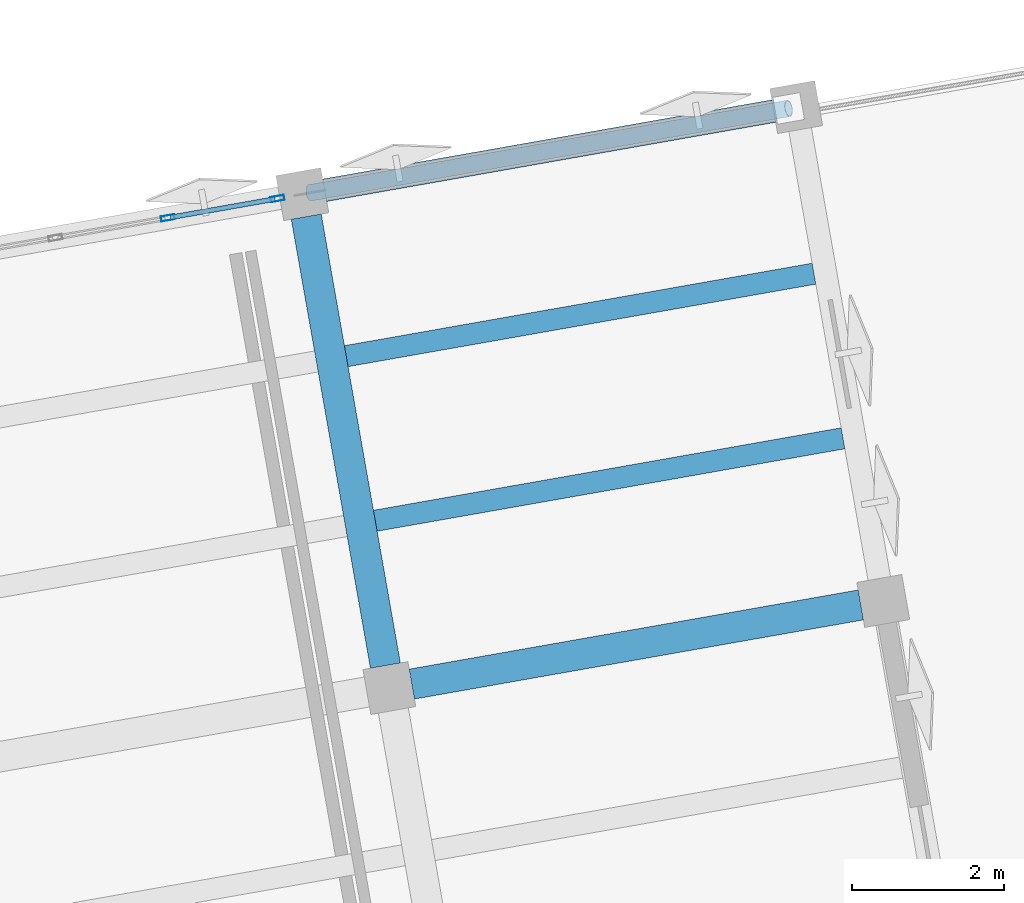
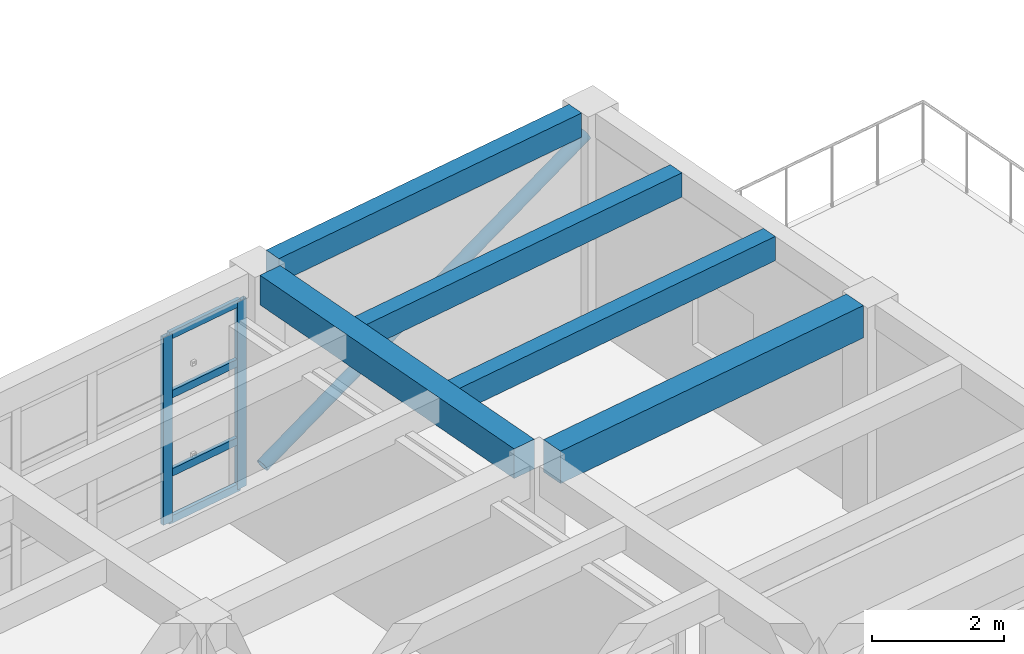
# One storey, part 8 of 18: 7 members, 5 beams, 1 element without a shape of its own.
"""IFC4 building model written with IfcOpenShell, lengths in metres."""

import ifcopenshell
import ifcopenshell.guid

model = None  # the IFC model being written
_history = None  # IfcOwnerHistory: only IFC2X3 demands one
_inside = {}  # id of a spatial element -> (the spatial element, [elements in it])
_under = {}  # id of a project, library or spatial element -> (it, [spatial elements below it])
_declared = {}  # id of a project -> (the project, [libraries it declares])
_typed = {}  # id of a type object -> (the type object, [elements of that type])
_made_of = {}  # id of a material, layer set ... -> (it, [elements and type objects made of it])


def new_model(schema):
    """Start an empty IFC model of exactly this schema.

    Asked for "IFC4X3", IfcOpenShell would pick the latest addendum, in which some entities
    have other attributes; the version numbers below select the first issue.
    IFC2X3 requires an IfcOwnerHistory on every rooted entity: one is made here for all.
    """
    global model, _history
    if schema == "IFC4X3":
        model = ifcopenshell.file(schema_version=(4, 3, 0, 0))
    else:
        model = ifcopenshell.file(schema=schema)
    _inside.clear()
    _under.clear()
    _declared.clear()
    _typed.clear()
    _made_of.clear()
    _history = None
    if model.schema == "IFC2X3":
        org = make("IfcOrganization", Name="unknown")
        user = make(
            "IfcPersonAndOrganization",
            ThePerson=make("IfcPerson", FamilyName="unknown"),
            TheOrganization=org,
        )
        app = make(
            "IfcApplication",
            ApplicationDeveloper=org,
            Version="unknown",
            ApplicationFullName="unknown",
            ApplicationIdentifier="unknown",
        )
        _history = make(
            "IfcOwnerHistory",
            OwningUser=user,
            OwningApplication=app,
            ChangeAction="ADDED",
            CreationDate=0,
        )
    return model


def make(cls, **values):
    """One entity of the class cls with the attributes given. An attribute that is None is left unset."""
    return model.create_entity(
        cls, **{name: value for name, value in values.items() if value is not None}
    )


def rooted(cls, **values):
    """An entity with a GlobalId (a new one), such as an element, a storey or a relation."""
    return make(cls, GlobalId=ifcopenshell.guid.new(), OwnerHistory=_history, **values)


def si_unit(unit_type, name, prefix=None):
    """IfcSIUnit, for example si_unit("LENGTHUNIT", "METRE", prefix="MILLI")."""
    return make("IfcSIUnit", UnitType=unit_type, Prefix=prefix, Name=name)


def assignment(units):
    """IfcUnitAssignment: the units of a project."""
    return None if units is None else make("IfcUnitAssignment", Units=units)


def point(xyz):
    """IfcCartesianPoint."""
    return None if xyz is None else make("IfcCartesianPoint", Coordinates=xyz)


def direction(xyz):
    """IfcDirection."""
    return None if xyz is None else make("IfcDirection", DirectionRatios=xyz)


def frame(location, z_axis=None, x_axis=None):
    """IfcAxis2Placement3D, a coordinate frame: its origin and axes. An axis left out is left unset."""
    return make(
        "IfcAxis2Placement3D",
        Location=point(location),
        Axis=direction(z_axis),
        RefDirection=direction(x_axis),
    )


def frame_2d(location, x_axis=None):
    """IfcAxis2Placement2D, a coordinate frame in the plane: its origin and x axis."""
    return make(
        "IfcAxis2Placement2D", Location=point(location), RefDirection=direction(x_axis)
    )


def origin():
    """The frame at (0, 0, 0) with its axes left unset."""
    return frame((0.0, 0.0, 0.0))


def origin_2d():
    """The frame at (0, 0) in the plane with its x axis left unset."""
    return frame_2d((0.0, 0.0))


def place(relative_to, where):
    """IfcLocalPlacement: puts the frame where relative to a parent placement (None: the world)."""
    return make(
        "IfcLocalPlacement", PlacementRelTo=relative_to, RelativePlacement=where
    )


def context(
    kind, dimensions, precision=None, world=None, true_north=None, identifier=None
):
    """IfcGeometricRepresentationContext, for example the 3D "Model" context."""
    return make(
        "IfcGeometricRepresentationContext",
        ContextIdentifier=identifier,
        ContextType=kind,
        CoordinateSpaceDimension=dimensions,
        Precision=precision,
        WorldCoordinateSystem=world,
        TrueNorth=true_north,
    )


def subcontext(parent, identifier, kind, view, scale=None):
    """IfcGeometricRepresentationSubContext, for example "Body" below "Model"."""
    return make(
        "IfcGeometricRepresentationSubContext",
        ContextIdentifier=identifier,
        ContextType=kind,
        ParentContext=parent,
        TargetScale=scale,
        TargetView=view,
    )


def project(units=None, contexts=None):
    """IfcProject with its units and contexts."""
    return rooted(
        "IfcProject",
        Name="project",
        RepresentationContexts=contexts,
        UnitsInContext=assignment(units),
    )


def spatial(cls, under=None, at=None, **own):
    """A site, building, storey or space (cls), placed at a placement, below another one or the project."""
    s = rooted(cls, ObjectPlacement=at, **own)
    if under is not None:
        _under.setdefault(under.id(), (under, []))[1].append(s)
    return s


def profile(cls, at=None, kind="AREA", **sizes):
    """A parametric profile (cls). Its sizes go by their IFC names, for example OverallWidth=200.0."""
    return make(cls, ProfileType=kind, Position=at, **sizes)


def rectangle(**sizes):
    """IfcRectangleProfileDef."""
    return profile("IfcRectangleProfileDef", **sizes)


def hollow_rectangle(**sizes):
    """IfcRectangleHollowProfileDef."""
    return profile("IfcRectangleHollowProfileDef", **sizes)


def hollow_circle(**sizes):
    """IfcCircleHollowProfileDef."""
    return profile("IfcCircleHollowProfileDef", **sizes)


def extrude(swept, where, along, depth):
    """IfcExtrudedAreaSolid: the profile swept, set in the frame where, extruded along a direction by depth."""
    return make(
        "IfcExtrudedAreaSolid",
        SweptArea=swept,
        Position=where,
        ExtrudedDirection=direction(along),
        Depth=depth,
    )


def shape(context_of_items, identifier, shape_type, items):
    """IfcShapeRepresentation: the items that make up one representation, for example the "Body"."""
    return make(
        "IfcShapeRepresentation",
        ContextOfItems=context_of_items,
        RepresentationIdentifier=identifier,
        RepresentationType=shape_type,
        Items=items,
    )


def material(Name=None, Category=None):
    """IfcMaterial."""
    return make("IfcMaterial", Name=Name, Category=Category)


def layer(
    of_material, thickness, ventilated=None, Name=None, Category=None, Priority=None
):
    """IfcMaterialLayer: one layer of a wall or slab, of a material (None: an air gap)."""
    return make(
        "IfcMaterialLayer",
        Material=of_material,
        LayerThickness=thickness,
        IsVentilated=ventilated,
        Name=Name,
        Category=Category,
        Priority=Priority,
    )


def layer_set(layers, Name=None):
    """IfcMaterialLayerSet."""
    return make("IfcMaterialLayerSet", MaterialLayers=layers, LayerSetName=Name)


def material_profile(
    of_material, cross_section, Name=None, Category=None, Priority=None
):
    """IfcMaterialProfile: a cross section and its material."""
    return make(
        "IfcMaterialProfile",
        Name=Name,
        Material=of_material,
        Profile=cross_section,
        Priority=Priority,
        Category=Category,
    )


def profile_set(profiles, Name=None, composite=None):
    """IfcMaterialProfileSet."""
    return make(
        "IfcMaterialProfileSet",
        Name=Name,
        MaterialProfiles=profiles,
        CompositeProfile=composite,
    )


def made_of(thing, what):
    """Note that an element or type object is made of a material, layer set ...; save() writes the relation."""
    if what is not None:
        _made_of.setdefault(what.id(), (what, []))[1].append(thing)
    return thing


def type_object(cls, material=None, **own):
    """A type object (cls), such as IfcWallType, which elements share."""
    return made_of(rooted(cls, **own), material)


def element(
    cls,
    number,
    at=None,
    inside=None,
    cuts=None,
    type_object=None,
    material=None,
    context=None,
    identifier="Body",
    shape_type=None,
    held_by="IfcProductDefinitionShape",
    body=None,
    shapes=None,
    **own,
):
    """One element of the class cls, such as IfcWall. Its Tag is "e" and its number.

    at: its placement. inside: the storey or other place that contains it. cuts: it is an
    opening in that element (IfcRelVoidsElement). A single representation is given by context,
    identifier, shape_type and body (its items); several are given by shapes. held_by: the class
    of the entity that holds the representations. save() writes the other relations.
    """
    e = rooted(cls, Tag="e%d" % number, ObjectPlacement=at, **own)
    if body is not None:
        shapes = [shape(context, identifier, shape_type, body)]
    if shapes is not None:
        e.Representation = make(held_by, Representations=shapes)
    if inside is not None:
        _inside.setdefault(inside.id(), (inside, []))[1].append(e)
    if cuts is not None:
        rooted(
            "IfcRelVoidsElement", RelatingBuildingElement=cuts, RelatedOpeningElement=e
        )
    if type_object is not None:
        _typed.setdefault(type_object.id(), (type_object, []))[1].append(e)
    return made_of(e, material)


def aggregate(whole, parts):
    """IfcRelAggregates: a whole, such as a stair, and the parts it consists of."""
    return rooted("IfcRelAggregates", RelatingObject=whole, RelatedObjects=parts)


def save(model, path):
    """Write the relations noted so far, then the file.

    IfcRelAggregates (storeys below a building ...), IfcRelContainedInSpatialStructure (elements
    in a storey), IfcRelDefinesByType, IfcRelAssociatesMaterial and IfcRelDeclares: one each for
    every whole, place, type object, material and project.
    """
    for whole, parts in _under.values():
        aggregate(whole, parts)
    for where, things in _inside.values():
        rooted(
            "IfcRelContainedInSpatialStructure",
            RelatedElements=things,
            RelatingStructure=where,
        )
    for kind, things in _typed.values():
        rooted("IfcRelDefinesByType", RelatedObjects=things, RelatingType=kind)
    for what, things in _made_of.values():
        rooted("IfcRelAssociatesMaterial", RelatedObjects=things, RelatingMaterial=what)
    for by, libraries in _declared.values():
        rooted("IfcRelDeclares", RelatingContext=by, RelatedDefinitions=libraries)
    model.write(path)


model = new_model("IFC4")

# Units and contexts
model_context = context("Model", 3, precision=1e-05, world=origin(), true_north=direction((0.0, 1.0)))
body_context = subcontext(model_context, "Body", "Model", "MODEL_VIEW")
ifc_project = project(units=[si_unit("LENGTHUNIT", "METRE"), si_unit("AREAUNIT", "SQUARE_METRE"), si_unit("VOLUMEUNIT", "CUBIC_METRE"), si_unit("PLANEANGLEUNIT", "RADIAN"), si_unit("MASSUNIT", "GRAM", prefix="KILO")], contexts=[model_context])

# Site, building, storey
site_placement = place(None, origin())
site = spatial("IfcSite", under=ifc_project, at=site_placement, CompositionType="ELEMENT")
building_placement = place(site_placement, origin())
building = spatial("IfcBuilding", under=site, at=building_placement, Name="Kharisveld Research Institute", CompositionType="ELEMENT")
storey_placement = place(building_placement, frame((0.0, 0.0, 36.60009765625)))
storey = spatial("IfcBuildingStorey", under=building, at=storey_placement, Name="L08", CompositionType="ELEMENT", Elevation=36.60009765625)

# Beams
ifc_material_1 = material(Name="Concrete C40/50", Category="concrete")
ifc_material_profile_1 = material_profile(ifc_material_1, rectangle(XDim=0.39990234375, YDim=0.550048828125, at=origin_2d()))
ifc_profile_set_1 = profile_set([ifc_material_profile_1], Name="Concrete C40/50")
beam_type_1 = type_object("IfcBeamType", Name="BM_RC_400x550", PredefinedType="BEAM", material=ifc_profile_set_1)
beam_1_placement = place(storey_placement, frame((28.854736328125, 52.88916015625, 3.744873046875), z_axis=(-0.173662308598, 0.984805261243, 0.0), x_axis=(-0.984805261243, -0.173662308598, 0.0)))
element("IfcBeam", 1, at=beam_1_placement, inside=storey, type_object=beam_type_1, Name="BM:V1:L08:V4_2", PredefinedType="BEAM", context=body_context, shape_type="SweptSolid", body=[
    extrude(rectangle(XDim=0.39990234375, YDim=0.550048828125, at=origin_2d()), origin(), (0.0, 0.0, 1.0), 6.0),
])
ifc_material_2 = material(Name="Concrete C40/50", Category="concrete")
ifc_material_profile_2 = material_profile(ifc_material_2, rectangle(XDim=0.39990234375, YDim=0.60009765625, at=origin_2d()))
ifc_profile_set_2 = profile_set([ifc_material_profile_2], Name="Concrete C40/50")
beam_type_2 = type_object("IfcBeamType", Name="BM_RC_400x600", PredefinedType="BEAM", material=ifc_profile_set_2)
beam_2_placement = place(storey_placement, frame((29.2021484375, 52.645751953125, 3.719970703125), z_axis=(0.984805261243, 0.173662308598, 0.0), x_axis=(-0.173662308598, 0.984805261243, 0.0)))
element("IfcBeam", 2, at=beam_2_placement, inside=storey, type_object=beam_type_2, Name="BM:V1:L08:U4_2", PredefinedType="BEAM", context=body_context, shape_type="SweptSolid", body=[
    extrude(rectangle(XDim=0.39990234375, YDim=0.60009765625, at=origin_2d()), origin(), (0.0, 0.0, 1.0), 6.0),
])

# Member
ifc_material_3 = material(Name="Steel S355J2H", Category="steel")
ifc_material_profile_3 = material_profile(ifc_material_3, hollow_circle(Radius=0.109619140625, WallThickness=0.010009765625, at=origin_2d()))
ifc_profile_set_3 = profile_set([ifc_material_profile_3], Name="Steel S355J2H")
member_type_1 = type_object("IfcMemberType", Name="BR_CHS219", PredefinedType="BRACE", material=ifc_profile_set_3)
member_1_placement = place(storey_placement, frame((27.859130859375, 59.11083984375, 0.199951171875), z_axis=(0.876966834258, 0.154630966437, 0.454992786569), x_axis=(-0.173646056486, 0.984808127031, 0.0)))
element("IfcMember", 3, at=member_1_placement, inside=storey, type_object=member_type_1, Name="MEM:V1:L08:BR_4_3", PredefinedType="BRACE", context=body_context, shape_type="SweptSolid", body=[
    extrude(hollow_circle(Radius=0.109619140625, WallThickness=0.010009765625, at=origin_2d()), origin(), (0.0, 0.0, 1.0), 7.18701171875),
])

# Curtain wall, members
ifc_material_4 = material(Name="Thermally Broken Aluminium Curtain Wall", Category="aluminium")
ifc_layer = layer(ifc_material_4, 0.159912109375)
ifc_layer_set = layer_set([ifc_layer], Name="CW_SYS_04")
curtain_wall_type = type_object("IfcCurtainWallType", Name="CW_SYS_04", PredefinedType="NOTDEFINED", material=ifc_layer_set)
curtain_wall_placement = place(storey_placement, origin())
curtain_wall = element("IfcCurtainWall", 4, at=curtain_wall_placement, inside=storey, type_object=curtain_wall_type, Name="CW:V1:L08:N3", PredefinedType="NOTDEFINED")
ifc_material_5 = material(Name="Anodised Aluminium AW-6063-T6", Category="aluminium")
ifc_material_profile_4 = material_profile(ifc_material_5, hollow_rectangle(XDim=0.070068359375, YDim=0.179931640625, WallThickness=0.00439453125, at=origin_2d()))
ifc_profile_set_4 = profile_set([ifc_material_profile_4], Name="Anodised Aluminium AW-6063-T6")
member_type_2 = type_object("IfcMemberType", Name="CW_MUL_180", PredefinedType="MULLION", material=ifc_profile_set_4)
member_2_placement = place(storey_placement, frame((25.990478515625, 58.781494140625, 0.0), z_axis=(0.0, 0.0, 1.0), x_axis=(-0.173648239132, 0.984807742174, 0.0)))
member_2 = element("IfcMember", 5, at=member_2_placement, type_object=member_type_2, Name="CW-04 mullion 4", PredefinedType="MULLION", context=body_context, shape_type="SweptSolid", body=[
    extrude(hollow_rectangle(XDim=0.070068359375, YDim=0.179931640625, WallThickness=0.00439453125, at=origin_2d()), origin(), (0.0, 0.0, 1.0), 3.47998046875),
])
member_3_placement = place(storey_placement, frame((27.435791015625, 59.0361328125, 0.0), z_axis=(0.0, 0.0, 1.0), x_axis=(-0.173648239132, 0.984807742174, 0.0)))
member_3 = element("IfcMember", 6, at=member_3_placement, type_object=member_type_2, Name="CW-04 mullion 5", PredefinedType="MULLION", context=body_context, shape_type="SweptSolid", body=[
    extrude(hollow_rectangle(XDim=0.070068359375, YDim=0.179931640625, WallThickness=0.00439453125, at=origin_2d()), origin(), (0.0, 0.0, 1.0), 3.47998046875),
])
ifc_material_6 = material(Name="Anodised Aluminium AW-6063-T6", Category="aluminium")
ifc_material_profile_5 = material_profile(ifc_material_6, hollow_rectangle(XDim=0.06494140625, YDim=0.139892578125, WallThickness=0.00390625, at=origin_2d()))
ifc_profile_set_5 = profile_set([ifc_material_profile_5], Name="Anodised Aluminium AW-6063-T6")
member_type_3 = type_object("IfcMemberType", Name="CW_TRN_140", PredefinedType="USERDEFINED", material=ifc_profile_set_5)
member_4_placement = place(storey_placement, frame((26.02490234375, 58.787353515625, 0.032470703125), z_axis=(0.984806414241, 0.173655770047, 0.0), x_axis=(-0.173655770047, 0.984806414241, 0.0)))
member_4 = element("IfcMember", 7, at=member_4_placement, type_object=member_type_3, Name="CW-04 transom 4.1", ObjectType="TRANSOM", PredefinedType="USERDEFINED", context=body_context, shape_type="SweptSolid", body=[
    extrude(hollow_rectangle(XDim=0.06494140625, YDim=0.139892578125, WallThickness=0.00390625, at=origin_2d()), origin(), (0.0, 0.0, 1.0), 1.3974609375),
])
member_5_placement = place(storey_placement, frame((26.02490234375, 58.787353515625, 0.89990234375), z_axis=(0.984806414241, 0.173655770047, 0.0), x_axis=(-0.173655770047, 0.984806414241, 0.0)))
member_5 = element("IfcMember", 8, at=member_5_placement, type_object=member_type_3, Name="CW-04 transom 4.2", ObjectType="TRANSOM", PredefinedType="USERDEFINED", context=body_context, shape_type="SweptSolid", body=[
    extrude(hollow_rectangle(XDim=0.06494140625, YDim=0.139892578125, WallThickness=0.00390625, at=origin_2d()), origin(), (0.0, 0.0, 1.0), 1.3974609375),
])
member_6_placement = place(storey_placement, frame((26.02490234375, 58.787353515625, 2.349853515625), z_axis=(0.984806414241, 0.173655770047, 0.0), x_axis=(-0.173655770047, 0.984806414241, 0.0)))
member_6 = element("IfcMember", 9, at=member_6_placement, type_object=member_type_3, Name="CW-04 transom 4.3", ObjectType="TRANSOM", PredefinedType="USERDEFINED", context=body_context, shape_type="SweptSolid", body=[
    extrude(hollow_rectangle(XDim=0.06494140625, YDim=0.139892578125, WallThickness=0.00390625, at=origin_2d()), origin(), (0.0, 0.0, 1.0), 1.3974609375),
])
member_7_placement = place(storey_placement, frame((26.02490234375, 58.787353515625, 3.447509765625), z_axis=(0.984806414241, 0.173655770047, 0.0), x_axis=(-0.173655770047, 0.984806414241, 0.0)))
member_7 = element("IfcMember", 10, at=member_7_placement, type_object=member_type_3, Name="CW-04 transom 4.4", ObjectType="TRANSOM", PredefinedType="USERDEFINED", context=body_context, shape_type="SweptSolid", body=[
    extrude(hollow_rectangle(XDim=0.06494140625, YDim=0.139892578125, WallThickness=0.00390625, at=origin_2d()), origin(), (0.0, 0.0, 1.0), 1.3974609375),
])
aggregate(curtain_wall, [member_2, member_3, member_4, member_5, member_6, member_7])

# Beams
ifc_material_7 = material(Name="Concrete C40/50", Category="concrete")
ifc_material_profile_6 = material_profile(ifc_material_7, rectangle(XDim=0.300048828125, YDim=0.449951171875, at=origin_2d()))
ifc_profile_set_6 = profile_set([ifc_material_profile_6], Name="Concrete C40/50")
beam_type_3 = type_object("IfcBeamType", Name="SP_RC_300x450", PredefinedType="SPANDREL", material=ifc_profile_set_6)
beam_3_placement = place(storey_placement, frame((28.05615234375, 59.1455078125, 3.794921875), z_axis=(0.984805261243, 0.173662308598, 0.0), x_axis=(-0.173662308598, 0.984805261243, 0.0)))
element("IfcBeam", 11, at=beam_3_placement, inside=storey, type_object=beam_type_3, Name="BM:V1:L08:U4_3", PredefinedType="SPANDREL", context=body_context, shape_type="SweptSolid", body=[
    extrude(rectangle(XDim=0.300048828125, YDim=0.449951171875, at=origin_2d()), origin(), (0.0, 0.0, 1.0), 6.0),
])
ifc_material_8 = material(Name="Concrete C40/50", Category="concrete")
ifc_material_profile_7 = material_profile(ifc_material_8, rectangle(XDim=0.280029296875, YDim=0.449951171875, at=origin_2d()))
ifc_profile_set_7 = profile_set([ifc_material_profile_7], Name="Concrete C40/50")
beam_type_4 = type_object("IfcBeamType", Name="WB_RC_280x450", PredefinedType="JOIST", material=ifc_profile_set_7)
for number, where, z_axis, x_axis, name in (
    (12, (28.7216796875, 54.795166015625, 3.794921875), (0.984810288083, 0.17363379995, 0.0), (-0.17363379995, 0.984810288083, 0.0), "BM:V1:L08:J_4_2_R1"),
    (13, (28.339599609375, 56.961669921875, 3.794921875), (0.984810288083, 0.17363379995, 0.0), (-0.17363379995, 0.984810288083, 0.0), "BM:V1:L08:J_4_2_R2"),
):
    element("IfcBeam", number, at=place(storey_placement, frame(where, z_axis=z_axis, x_axis=x_axis)), inside=storey, type_object=beam_type_4, Name=name, PredefinedType="JOIST", context=body_context, shape_type="SweptSolid", body=[
        extrude(rectangle(XDim=0.280029296875, YDim=0.449951171875, at=origin_2d()), origin(), (0.0, 0.0, 1.0), 6.25),
    ])

save(model, "model.ifc")
